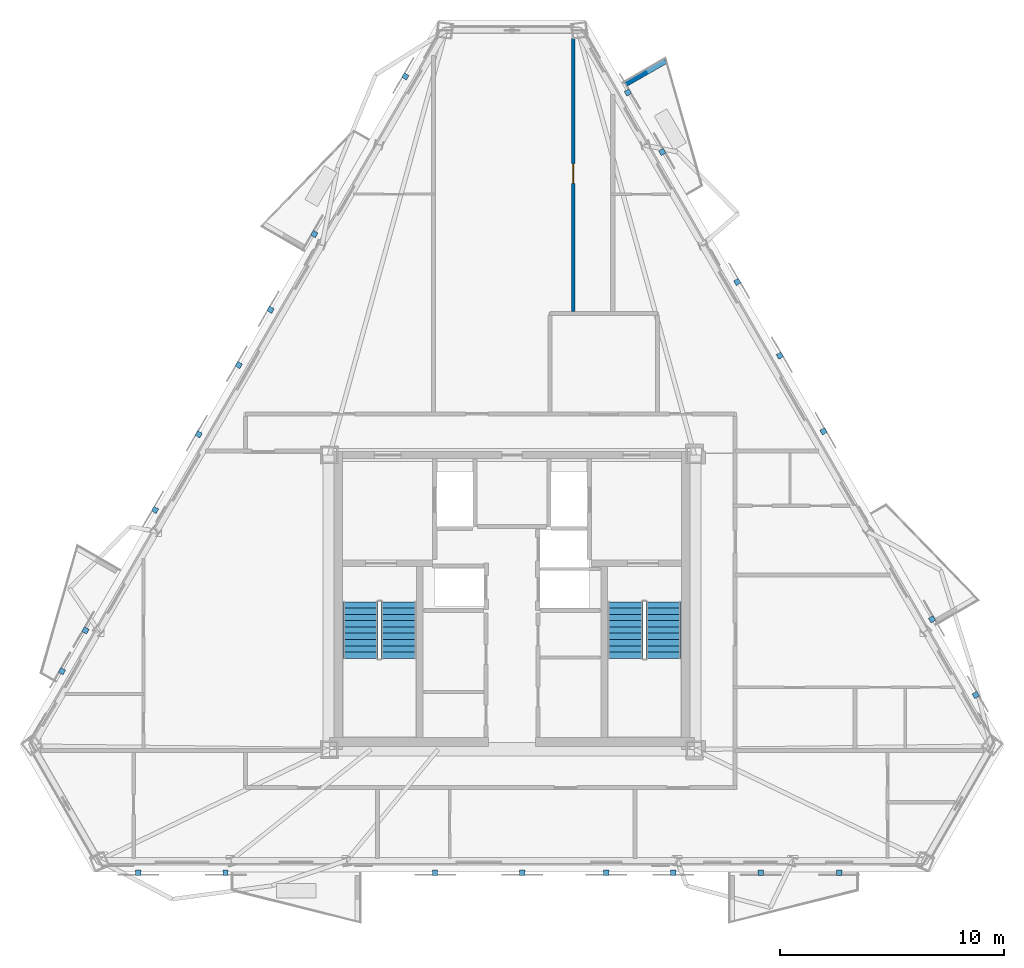
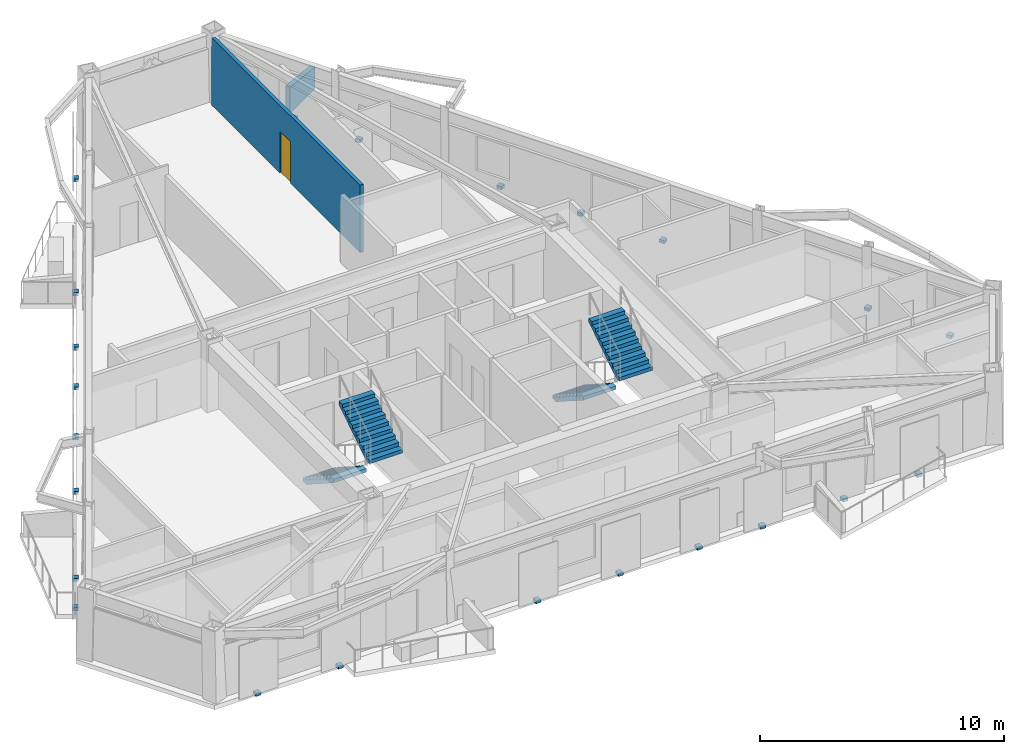
# One storey, part 6 of 9: 23 discrete accessories, 4 stair flights, 2 walls, 1 door, 1 opening, 2 elements without a shape of their own.
"""IFC4 building model written with IfcOpenShell, lengths in metres."""

import ifcopenshell
import ifcopenshell.guid

model = None  # the IFC model being written
_history = None  # IfcOwnerHistory: only IFC2X3 demands one
_inside = {}  # id of a spatial element -> (the spatial element, [elements in it])
_under = {}  # id of a project, library or spatial element -> (it, [spatial elements below it])
_declared = {}  # id of a project -> (the project, [libraries it declares])
_typed = {}  # id of a type object -> (the type object, [elements of that type])
_made_of = {}  # id of a material, layer set ... -> (it, [elements and type objects made of it])


def new_model(schema):
    """Start an empty IFC model of exactly this schema.

    Asked for "IFC4X3", IfcOpenShell would pick the latest addendum, in which some entities
    have other attributes; the version numbers below select the first issue.
    IFC2X3 requires an IfcOwnerHistory on every rooted entity: one is made here for all.
    """
    global model, _history
    if schema == "IFC4X3":
        model = ifcopenshell.file(schema_version=(4, 3, 0, 0))
    else:
        model = ifcopenshell.file(schema=schema)
    _inside.clear()
    _under.clear()
    _declared.clear()
    _typed.clear()
    _made_of.clear()
    _history = None
    if model.schema == "IFC2X3":
        org = make("IfcOrganization", Name="unknown")
        user = make(
            "IfcPersonAndOrganization",
            ThePerson=make("IfcPerson", FamilyName="unknown"),
            TheOrganization=org,
        )
        app = make(
            "IfcApplication",
            ApplicationDeveloper=org,
            Version="unknown",
            ApplicationFullName="unknown",
            ApplicationIdentifier="unknown",
        )
        _history = make(
            "IfcOwnerHistory",
            OwningUser=user,
            OwningApplication=app,
            ChangeAction="ADDED",
            CreationDate=0,
        )
    return model


def make(cls, **values):
    """One entity of the class cls with the attributes given. An attribute that is None is left unset."""
    return model.create_entity(
        cls, **{name: value for name, value in values.items() if value is not None}
    )


def rooted(cls, **values):
    """An entity with a GlobalId (a new one), such as an element, a storey or a relation."""
    return make(cls, GlobalId=ifcopenshell.guid.new(), OwnerHistory=_history, **values)


def si_unit(unit_type, name, prefix=None):
    """IfcSIUnit, for example si_unit("LENGTHUNIT", "METRE", prefix="MILLI")."""
    return make("IfcSIUnit", UnitType=unit_type, Prefix=prefix, Name=name)


def assignment(units):
    """IfcUnitAssignment: the units of a project."""
    return None if units is None else make("IfcUnitAssignment", Units=units)


def point(xyz):
    """IfcCartesianPoint."""
    return None if xyz is None else make("IfcCartesianPoint", Coordinates=xyz)


def direction(xyz):
    """IfcDirection."""
    return None if xyz is None else make("IfcDirection", DirectionRatios=xyz)


def frame(location, z_axis=None, x_axis=None):
    """IfcAxis2Placement3D, a coordinate frame: its origin and axes. An axis left out is left unset."""
    return make(
        "IfcAxis2Placement3D",
        Location=point(location),
        Axis=direction(z_axis),
        RefDirection=direction(x_axis),
    )


def frame_2d(location, x_axis=None):
    """IfcAxis2Placement2D, a coordinate frame in the plane: its origin and x axis."""
    return make(
        "IfcAxis2Placement2D", Location=point(location), RefDirection=direction(x_axis)
    )


def origin():
    """The frame at (0, 0, 0) with its axes left unset."""
    return frame((0.0, 0.0, 0.0))


def origin_2d():
    """The frame at (0, 0) in the plane with its x axis left unset."""
    return frame_2d((0.0, 0.0))


def place(relative_to, where):
    """IfcLocalPlacement: puts the frame where relative to a parent placement (None: the world)."""
    return make(
        "IfcLocalPlacement", PlacementRelTo=relative_to, RelativePlacement=where
    )


def context(
    kind, dimensions, precision=None, world=None, true_north=None, identifier=None
):
    """IfcGeometricRepresentationContext, for example the 3D "Model" context."""
    return make(
        "IfcGeometricRepresentationContext",
        ContextIdentifier=identifier,
        ContextType=kind,
        CoordinateSpaceDimension=dimensions,
        Precision=precision,
        WorldCoordinateSystem=world,
        TrueNorth=true_north,
    )


def subcontext(parent, identifier, kind, view, scale=None):
    """IfcGeometricRepresentationSubContext, for example "Body" below "Model"."""
    return make(
        "IfcGeometricRepresentationSubContext",
        ContextIdentifier=identifier,
        ContextType=kind,
        ParentContext=parent,
        TargetScale=scale,
        TargetView=view,
    )


def project(units=None, contexts=None):
    """IfcProject with its units and contexts."""
    return rooted(
        "IfcProject",
        Name="project",
        RepresentationContexts=contexts,
        UnitsInContext=assignment(units),
    )


def spatial(cls, under=None, at=None, **own):
    """A site, building, storey or space (cls), placed at a placement, below another one or the project."""
    s = rooted(cls, ObjectPlacement=at, **own)
    if under is not None:
        _under.setdefault(under.id(), (under, []))[1].append(s)
    return s


def polyline(points):
    """IfcPolyline through the points."""
    return make("IfcPolyline", Points=[point(p) for p in points])


def profile(cls, at=None, kind="AREA", **sizes):
    """A parametric profile (cls). Its sizes go by their IFC names, for example OverallWidth=200.0."""
    return make(cls, ProfileType=kind, Position=at, **sizes)


def rectangle(**sizes):
    """IfcRectangleProfileDef."""
    return profile("IfcRectangleProfileDef", **sizes)


def outline(outer, holes=None, kind="AREA"):
    """IfcArbitraryClosedProfileDef: a profile drawn as a closed curve; with holes, ...WithVoids."""
    if holes is None:
        return make("IfcArbitraryClosedProfileDef", ProfileType=kind, OuterCurve=outer)
    return make(
        "IfcArbitraryProfileDefWithVoids",
        ProfileType=kind,
        OuterCurve=outer,
        InnerCurves=holes,
    )


def extrude(swept, where, along, depth):
    """IfcExtrudedAreaSolid: the profile swept, set in the frame where, extruded along a direction by depth."""
    return make(
        "IfcExtrudedAreaSolid",
        SweptArea=swept,
        Position=where,
        ExtrudedDirection=direction(along),
        Depth=depth,
    )


def shape(context_of_items, identifier, shape_type, items):
    """IfcShapeRepresentation: the items that make up one representation, for example the "Body"."""
    return make(
        "IfcShapeRepresentation",
        ContextOfItems=context_of_items,
        RepresentationIdentifier=identifier,
        RepresentationType=shape_type,
        Items=items,
    )


def material(Name=None, Category=None):
    """IfcMaterial."""
    return make("IfcMaterial", Name=Name, Category=Category)


def layer(
    of_material, thickness, ventilated=None, Name=None, Category=None, Priority=None
):
    """IfcMaterialLayer: one layer of a wall or slab, of a material (None: an air gap)."""
    return make(
        "IfcMaterialLayer",
        Material=of_material,
        LayerThickness=thickness,
        IsVentilated=ventilated,
        Name=Name,
        Category=Category,
        Priority=Priority,
    )


def layer_set(layers, Name=None):
    """IfcMaterialLayerSet."""
    return make("IfcMaterialLayerSet", MaterialLayers=layers, LayerSetName=Name)


def made_of(thing, what):
    """Note that an element or type object is made of a material, layer set ...; save() writes the relation."""
    if what is not None:
        _made_of.setdefault(what.id(), (what, []))[1].append(thing)
    return thing


def type_object(cls, material=None, **own):
    """A type object (cls), such as IfcWallType, which elements share."""
    return made_of(rooted(cls, **own), material)


def element(
    cls,
    number,
    at=None,
    inside=None,
    cuts=None,
    type_object=None,
    material=None,
    context=None,
    identifier="Body",
    shape_type=None,
    held_by="IfcProductDefinitionShape",
    body=None,
    shapes=None,
    **own,
):
    """One element of the class cls, such as IfcWall. Its Tag is "e" and its number.

    at: its placement. inside: the storey or other place that contains it. cuts: it is an
    opening in that element (IfcRelVoidsElement). A single representation is given by context,
    identifier, shape_type and body (its items); several are given by shapes. held_by: the class
    of the entity that holds the representations. save() writes the other relations.
    """
    e = rooted(cls, Tag="e%d" % number, ObjectPlacement=at, **own)
    if body is not None:
        shapes = [shape(context, identifier, shape_type, body)]
    if shapes is not None:
        e.Representation = make(held_by, Representations=shapes)
    if inside is not None:
        _inside.setdefault(inside.id(), (inside, []))[1].append(e)
    if cuts is not None:
        rooted(
            "IfcRelVoidsElement", RelatingBuildingElement=cuts, RelatedOpeningElement=e
        )
    if type_object is not None:
        _typed.setdefault(type_object.id(), (type_object, []))[1].append(e)
    return made_of(e, material)


def fill(opening, filler):
    """IfcRelFillsElement: the door or window that sits in an opening."""
    return rooted(
        "IfcRelFillsElement",
        RelatingOpeningElement=opening,
        RelatedBuildingElement=filler,
    )


def aggregate(whole, parts):
    """IfcRelAggregates: a whole, such as a stair, and the parts it consists of."""
    return rooted("IfcRelAggregates", RelatingObject=whole, RelatedObjects=parts)


def save(model, path):
    """Write the relations noted so far, then the file.

    IfcRelAggregates (storeys below a building ...), IfcRelContainedInSpatialStructure (elements
    in a storey), IfcRelDefinesByType, IfcRelAssociatesMaterial and IfcRelDeclares: one each for
    every whole, place, type object, material and project.
    """
    for whole, parts in _under.values():
        aggregate(whole, parts)
    for where, things in _inside.values():
        rooted(
            "IfcRelContainedInSpatialStructure",
            RelatedElements=things,
            RelatingStructure=where,
        )
    for kind, things in _typed.values():
        rooted("IfcRelDefinesByType", RelatedObjects=things, RelatingType=kind)
    for what, things in _made_of.values():
        rooted("IfcRelAssociatesMaterial", RelatedObjects=things, RelatingMaterial=what)
    for by, libraries in _declared.values():
        rooted("IfcRelDeclares", RelatingContext=by, RelatedDefinitions=libraries)
    model.write(path)


model = new_model("IFC4")

# Units and contexts
model_context = context("Model", 3, precision=1e-05, world=origin(), true_north=direction((0.0, 1.0)))
body_context = subcontext(model_context, "Body", "Model", "MODEL_VIEW")
ifc_project = project(units=[si_unit("LENGTHUNIT", "METRE"), si_unit("AREAUNIT", "SQUARE_METRE"), si_unit("VOLUMEUNIT", "CUBIC_METRE"), si_unit("PLANEANGLEUNIT", "RADIAN"), si_unit("MASSUNIT", "GRAM", prefix="KILO")], contexts=[model_context])

# Site, building, storey
site_placement = place(None, origin())
site = spatial("IfcSite", under=ifc_project, at=site_placement, CompositionType="ELEMENT")
building_placement = place(site_placement, origin())
building = spatial("IfcBuilding", under=site, at=building_placement, Name="Oramaril Tower", CompositionType="ELEMENT")
storey_placement = place(building_placement, frame((0.0, 0.0, 234.300048828125)))
storey = spatial("IfcBuildingStorey", under=building, at=storey_placement, Name="L62", CompositionType="ELEMENT", Elevation=234.300048828125)

# Wall
ifc_material_1 = material(Name="Concrete C40/50", Category="concrete")
ifc_layer_1 = layer(ifc_material_1, 0.22998046875)
ifc_layer_set_1 = layer_set([ifc_layer_1], Name="WT-PRP23")
wall_type_1 = type_object("IfcWallType", Name="WT-PRP23", PredefinedType="PARAPET", material=ifc_layer_set_1)
wall_1_placement = place(storey_placement, frame((42.5927734375, 40.71826171875, 0.0), z_axis=(0.0, 0.0, 1.0), x_axis=(0.866012356593, 0.500022597718, 0.0)))
element("IfcWall", 1, at=wall_1_placement, inside=storey, type_object=wall_type_1, Name="L62 Trapezoidal Balcony Frame Cheek L62-BAL-NE2-R", PredefinedType="PARAPET", context=body_context, shape_type="SweptSolid", body=[
    extrude(outline(polyline([(0.0, 0.0), (2.0419921875, 0.0), (2.0419921875, 1.099853515625), (0.0, 1.320068359375), (0.0, 0.0)])), frame((0.0, 0.114990234375, 0.0), z_axis=(0.0, -1.0, 0.0), x_axis=(1.0, 0.0, 0.0)), (0.0, 0.0, 1.0), 0.22998046875),
])

# Wall, opening, door
ifc_material_2 = material(Name="Acoustic Gypsum Board Partition")
ifc_layer_2 = layer(ifc_material_2, 0.159912109375)
ifc_layer_set_2 = layer_set([ifc_layer_2], Name="WT-PT16")
wall_type_2 = type_object("IfcWallType", Name="WT-PT16", PredefinedType="PARTITIONING", material=ifc_layer_set_2)
wall_2_placement = place(storey_placement, frame((40.239990234375, 30.56396484375, 0.0), z_axis=(0.0, 0.0, 1.0), x_axis=(0.0, 1.0, 0.0)))
wall_2 = element("IfcWall", 2, at=wall_2_placement, inside=storey, type_object=wall_type_2, Name="L62 Interior Partition PT-16", PredefinedType="PARTITIONING", context=body_context, shape_type="SweptSolid", body=[
    extrude(rectangle(XDim=12.1826171875, YDim=0.159912109375, at=frame_2d((6.09130859375, 0.0))), origin(), (0.0, 0.0, 1.0), 3.3798828125),
])
opening_placement = place(wall_2_placement, frame((5.714111328125, 0.0, 0.0)))
opening = element("IfcOpeningElement", 3, at=opening_placement, cuts=wall_2, Name="Opening D-L62-20", PredefinedType="OPENING", context=body_context, shape_type="SweptSolid", body=[
    extrude(rectangle(XDim=0.8798828125, YDim=2.080078125, at=frame_2d((0.43994140625, 1.0400390625))), frame((0.0, 0.080078125, 0.0), z_axis=(0.0, -1.0, 0.0), x_axis=(1.0, 0.0, 0.0)), (0.0, 0.0, 1.0), 0.159912109375),
])
ifc_material_3 = material(Name="FSC Brazilian Freijo Hardwood", Category="wood")
door_type = type_object("IfcDoorType", Name="DT-BATH", OperationType="NOTDEFINED", PredefinedType="DOOR", material=ifc_material_3)
door_placement = place(opening_placement, origin())
door = element("IfcDoor", 4, at=door_placement, inside=storey, type_object=door_type, Name="L62 Flat L62-U8 Bathroom Door D-L62-20", OperationType="SINGLE_SWING_RIGHT", OverallHeight=2.080078125, OverallWidth=0.8798828125, PredefinedType="DOOR", context=body_context, shape_type="SweptSolid", body=[
    extrude(rectangle(XDim=0.8798828125, YDim=2.080078125, at=frame_2d((0.43994140625, 1.0400390625))), frame((0.0, 0.02490234375, 0.0), z_axis=(0.0, -1.0, 0.0), x_axis=(1.0, 0.0, 0.0)), (0.0, 0.0, 1.0), 0.050048828125),
])
fill(opening, door)

# Stair, stair flights
ifc_material_4 = material(Name="Concrete C50/60", Category="concrete")
stair_type = type_object("IfcStairType", Name="STT-DG-3600", PredefinedType="HALF_TURN_STAIR", material=ifc_material_4)
stair_1_placement = place(storey_placement, origin())
stair_1 = element("IfcStair", 5, at=stair_1_placement, inside=storey, type_object=stair_type, Name="L62 Protected PFP Exit Stair ST-1", PredefinedType="HALF_TURN_STAIR")
ifc_material_5 = material(Name="Concrete C50/60", Category="concrete")
stair_flight_type = type_object("IfcStairFlightType", Name="SFT-DG-3600", PredefinedType="STRAIGHT", material=ifc_material_5)
stair_flight_1_placement = place(storey_placement, frame((30.72998046875, 17.590087890625, 0.0), z_axis=(0.0, 0.0, 1.0), x_axis=(0.0, -1.0, 0.0)))
stair_flight_1 = element("IfcStairFlight", 6, at=stair_flight_1_placement, type_object=stair_flight_type, Name="ST-1 flight 1", NumberOfRisers=10, NumberOfTreads=9, PredefinedType="STRAIGHT", RiserHeight=0.18, TreadLength=0.28, context=body_context, shape_type="SweptSolid", body=[
    extrude(outline(polyline([(0.0, 0.0), (0.0, 0.179931640625), (0.280029296875, 0.179931640625), (0.280029296875, 0.360107421875), (0.56005859375, 0.360107421875), (0.56005859375, 0.5400390625), (0.840087890625, 0.5400390625), (0.840087890625, 0.719970703125), (1.1201171875, 0.719970703125), (1.1201171875, 0.89990234375), (1.39990234375, 0.89990234375), (1.39990234375, 1.080078125), (1.679931640625, 1.080078125), (1.679931640625, 1.260009765625), (1.9599609375, 1.260009765625), (1.9599609375, 1.43994140625), (2.239990234375, 1.43994140625), (2.239990234375, 1.6201171875), (2.52001953125, 1.6201171875), (2.52001953125, 1.800048828125), (2.52001953125, 1.44189453125), (0.277099609375, 0.0), (0.0, 0.0)])), frame((0.0, 0.780029296875, 0.0), z_axis=(0.0, -1.0, 0.0), x_axis=(1.0, 0.0, 0.0)), (0.0, 0.0, 1.0), 1.56005859375),
])
stair_flight_2_placement = place(storey_placement, frame((32.43994140625, 15.070068359375, 1.800048828125), z_axis=(0.0, 0.0, 1.0), x_axis=(0.0, 1.0, 0.0)))
stair_flight_2 = element("IfcStairFlight", 7, at=stair_flight_2_placement, type_object=stair_flight_type, Name="ST-1 flight 2", NumberOfRisers=10, NumberOfTreads=9, PredefinedType="STRAIGHT", RiserHeight=0.18, TreadLength=0.28, context=body_context, shape_type="SweptSolid", body=[
    extrude(outline(polyline([(0.0, 0.0), (0.0, 0.179931640625), (0.280029296875, 0.179931640625), (0.280029296875, 0.360107421875), (0.56005859375, 0.360107421875), (0.56005859375, 0.5400390625), (0.840087890625, 0.5400390625), (0.840087890625, 0.719970703125), (1.1201171875, 0.719970703125), (1.1201171875, 0.89990234375), (1.39990234375, 0.89990234375), (1.39990234375, 1.080078125), (1.679931640625, 1.080078125), (1.679931640625, 1.260009765625), (1.9599609375, 1.260009765625), (1.9599609375, 1.43994140625), (2.239990234375, 1.43994140625), (2.239990234375, 1.6201171875), (2.52001953125, 1.6201171875), (2.52001953125, 1.800048828125), (2.52001953125, 1.44189453125), (0.277099609375, 0.0), (0.0, 0.0)])), frame((0.0, 0.780029296875, 0.0), z_axis=(0.0, -1.0, 0.0), x_axis=(1.0, 0.0, 0.0)), (0.0, 0.0, 1.0), 1.56005859375),
])
aggregate(stair_1, [stair_flight_1, stair_flight_2])

stair_2_placement = place(storey_placement, origin())
stair_2 = element("IfcStair", 8, at=stair_2_placement, inside=storey, type_object=stair_type, Name="L62 Protected PFP Exit Stair ST-2", PredefinedType="HALF_TURN_STAIR")
stair_flight_3_placement = place(storey_placement, frame((42.56005859375, 17.590087890625, 0.0), z_axis=(0.0, 0.0, 1.0), x_axis=(0.0, -1.0, 0.0)))
stair_flight_3 = element("IfcStairFlight", 9, at=stair_flight_3_placement, type_object=stair_flight_type, Name="ST-2 flight 1", NumberOfRisers=10, NumberOfTreads=9, PredefinedType="STRAIGHT", RiserHeight=0.18, TreadLength=0.28, context=body_context, shape_type="SweptSolid", body=[
    extrude(outline(polyline([(0.0, 0.0), (0.0, 0.179931640625), (0.280029296875, 0.179931640625), (0.280029296875, 0.360107421875), (0.56005859375, 0.360107421875), (0.56005859375, 0.5400390625), (0.840087890625, 0.5400390625), (0.840087890625, 0.719970703125), (1.1201171875, 0.719970703125), (1.1201171875, 0.89990234375), (1.39990234375, 0.89990234375), (1.39990234375, 1.080078125), (1.679931640625, 1.080078125), (1.679931640625, 1.260009765625), (1.9599609375, 1.260009765625), (1.9599609375, 1.43994140625), (2.239990234375, 1.43994140625), (2.239990234375, 1.6201171875), (2.52001953125, 1.6201171875), (2.52001953125, 1.800048828125), (2.52001953125, 1.44189453125), (0.277099609375, 0.0), (0.0, 0.0)])), frame((0.0, 0.780029296875, 0.0), z_axis=(0.0, -1.0, 0.0), x_axis=(1.0, 0.0, 0.0)), (0.0, 0.0, 1.0), 1.56005859375),
])
stair_flight_4_placement = place(storey_placement, frame((44.27001953125, 15.070068359375, 1.800048828125), z_axis=(0.0, 0.0, 1.0), x_axis=(0.0, 1.0, 0.0)))
stair_flight_4 = element("IfcStairFlight", 10, at=stair_flight_4_placement, type_object=stair_flight_type, Name="ST-2 flight 2", NumberOfRisers=10, NumberOfTreads=9, PredefinedType="STRAIGHT", RiserHeight=0.18, TreadLength=0.28, context=body_context, shape_type="SweptSolid", body=[
    extrude(outline(polyline([(0.0, 0.0), (0.0, 0.179931640625), (0.280029296875, 0.179931640625), (0.280029296875, 0.360107421875), (0.56005859375, 0.360107421875), (0.56005859375, 0.5400390625), (0.840087890625, 0.5400390625), (0.840087890625, 0.719970703125), (1.1201171875, 0.719970703125), (1.1201171875, 0.89990234375), (1.39990234375, 0.89990234375), (1.39990234375, 1.080078125), (1.679931640625, 1.080078125), (1.679931640625, 1.260009765625), (1.9599609375, 1.260009765625), (1.9599609375, 1.43994140625), (2.239990234375, 1.43994140625), (2.239990234375, 1.6201171875), (2.52001953125, 1.6201171875), (2.52001953125, 1.800048828125), (2.52001953125, 1.44189453125), (0.277099609375, 0.0), (0.0, 0.0)])), frame((0.0, 0.780029296875, 0.0), z_axis=(0.0, -1.0, 0.0), x_axis=(1.0, 0.0, 0.0)), (0.0, 0.0, 1.0), 1.56005859375),
])
aggregate(stair_2, [stair_flight_3, stair_flight_4])

# Discrete accessories
for number, where, z_axis, x_axis, name in (
    (11, (20.8076171875, 5.498291015625, -0.14013671875), (0.0, 0.0, 1.0), (1.0, 0.0, 0.0), "L62 Solar Screen Slab Bracket"),
    (12, (24.70751953125, 5.498291015625, -0.14013671875), (0.0, 0.0, 1.0), (1.0, 0.0, 0.0), "L62 Solar Screen Slab Bracket"),
    (13, (34.06396484375, 5.498291015625, -0.14013671875), (0.0, 0.0, 1.0), (1.0, 0.0, 0.0), "L62 Solar Screen Slab Bracket"),
    (14, (37.9638671875, 5.498291015625, -0.14013671875), (0.0, 0.0, 1.0), (1.0, 0.0, 0.0), "L62 Solar Screen Slab Bracket"),
    (15, (41.7060546875, 5.498291015625, -0.14013671875), (0.0, 0.0, 1.0), (1.0, 0.0, 0.0), "L62 Solar Screen Slab Bracket"),
    (16, (44.708251953125, 5.498291015625, -0.14013671875), (0.0, 0.0, 1.0), (1.0, 0.0, 0.0), "L62 Solar Screen Slab Bracket"),
    (17, (48.6083984375, 5.498291015625, -0.14013671875), (0.0, 0.0, 1.0), (1.0, 0.0, 0.0), "L62 Solar Screen Slab Bracket"),
    (18, (52.117431640625, 5.498291015625, -0.14013671875), (0.0, 0.0, 1.0), (1.0, 0.0, 0.0), "L62 Solar Screen Slab Bracket"),
    (19, (58.210693359375, 13.43115234375, -0.14013671875), (0.0, 0.0, 1.0), (-0.4999984885, 0.866026276448, 0.0), "L62 Solar Screen Slab Bracket"),
    (20, (56.2607421875, 16.80859375, -0.14013671875), (0.0, 0.0, 1.0), (-0.4999984885, 0.866026276448, 0.0), "L62 Solar Screen Slab Bracket"),
    (21, (42.675537109375, 40.3388671875, -0.14013671875), (0.0, 0.0, 1.0), (-0.4999984885, 0.866026276448, 0.0), "L62 Solar Screen Slab Bracket"),
    (22, (44.208251953125, 37.68408203125, -0.14013671875), (0.0, 0.0, 1.0), (-0.4999984885, 0.866026276448, 0.0), "L62 Solar Screen Slab Bracket"),
    (23, (51.413330078125, 25.20458984375, -0.14013671875), (0.0, 0.0, 1.0), (-0.4999984885, 0.866026276448, 0.0), "L62 Solar Screen Slab Bracket"),
    (24, (49.46337890625, 28.58203125, -0.14013671875), (0.0, 0.0, 1.0), (-0.4999984885, 0.866026276448, 0.0), "L62 Solar Screen Slab Bracket"),
    (25, (47.56005859375, 31.87841796875, -0.14013671875), (0.0, 0.0, 1.0), (-0.4999984885, 0.866026276448, 0.0), "L62 Solar Screen Slab Bracket"),
    (26, (23.51025390625, 25.072021484375, -0.14013671875), (0.0, 0.0, 1.0), (-0.4999984885, -0.866026276448, 0.0), "L62 Solar Screen Slab Bracket"),
    (27, (21.560302734375, 21.694580078125, -0.14013671875), (0.0, 0.0, 1.0), (-0.4999984885, -0.866026276448, 0.0), "L62 Solar Screen Slab Bracket"),
    (28, (17.403564453125, 14.494873046875, -0.14013671875), (0.0, 0.0, 1.0), (-0.4999984885, -0.866026276448, 0.0), "L62 Solar Screen Slab Bracket"),
    (29, (18.452880859375, 16.312744140625, -0.14013671875), (0.0, 0.0, 1.0), (-0.4999984885, -0.866026276448, 0.0), "L62 Solar Screen Slab Bracket"),
    (30, (28.671630859375, 34.011962890625, -0.14013671875), (0.0, 0.0, 1.0), (-0.4999984885, -0.866026276448, 0.0), "L62 Solar Screen Slab Bracket"),
    (31, (26.7216796875, 30.634521484375, -0.14013671875), (0.0, 0.0, 1.0), (-0.4999984885, -0.866026276448, 0.0), "L62 Solar Screen Slab Bracket"),
    (32, (25.296630859375, 28.166259765625, -0.14013671875), (0.0, 0.0, 1.0), (-0.4999984885, -0.866026276448, 0.0), "L62 Solar Screen Slab Bracket"),
    (33, (32.7373046875, 41.053955078125, -0.14013671875), (0.0, 0.0, 1.0), (-0.4999984885, -0.866026276448, 0.0), "L62 Solar Screen Slab Bracket"),
):
    element("IfcDiscreteAccessory", number, at=place(storey_placement, frame(where, z_axis=z_axis, x_axis=x_axis)), inside=storey, Name=name, PredefinedType="BRACKET", context=body_context, shape_type="SweptSolid", body=[
        extrude(rectangle(XDim=0.239990234375, YDim=0.239990234375, at=origin_2d()), origin(), (0.0, 0.0, 1.0), 0.159912109375),
    ])

save(model, "model.ifc")
